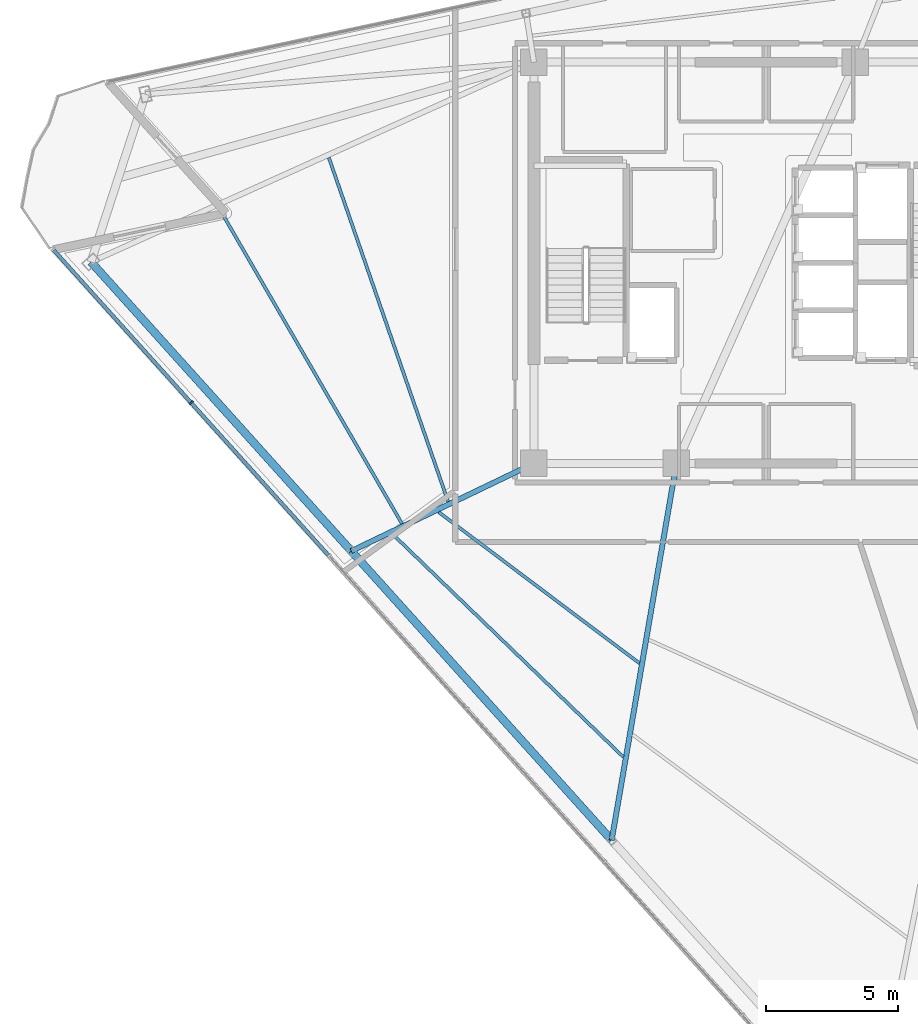
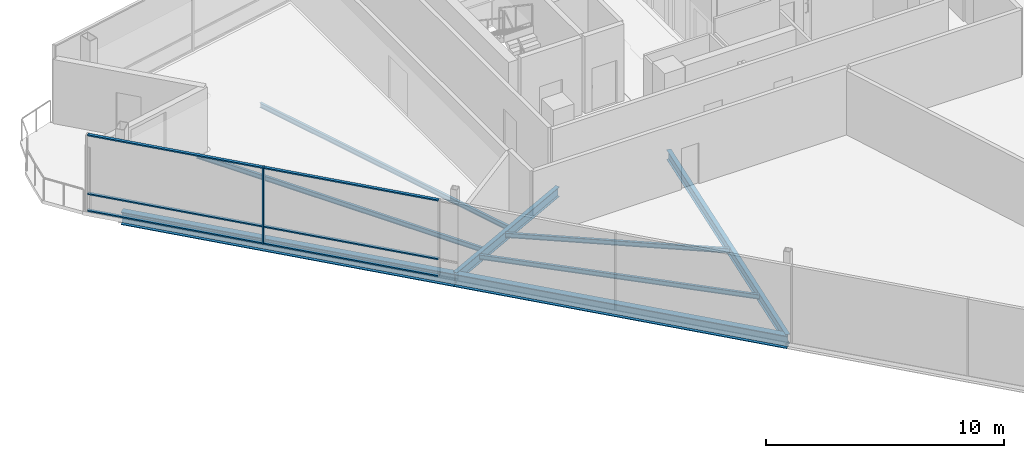
# One storey, part 4 of 16: 8 beams, 7 members, 1 element without a shape of its own.
"""IFC4 building model written with IfcOpenShell, lengths in metres."""

from ifc_helpers import new_model, si_unit, direction, frame, origin, origin_2d, place, context, subcontext, project, spatial, rectangle, i_section, extrude, material, layer, layer_set, material_profile, profile_set, type_object, element, aggregate, save


model = new_model("IFC4")

# Units and contexts
model_context = context("Model", 3, precision=1e-05, world=origin(), true_north=direction((0.0, 1.0)))
body_context = subcontext(model_context, "Body", "Model", "MODEL_VIEW")
ifc_project = project(units=[si_unit("LENGTHUNIT", "METRE"), si_unit("AREAUNIT", "SQUARE_METRE"), si_unit("VOLUMEUNIT", "CUBIC_METRE"), si_unit("PLANEANGLEUNIT", "RADIAN"), si_unit("MASSUNIT", "GRAM", prefix="KILO")], contexts=[model_context])

# Site, building, storey
site_placement = place(None, origin())
site = spatial("IfcSite", under=ifc_project, at=site_placement, CompositionType="ELEMENT")
building_placement = place(site_placement, origin())
building = spatial("IfcBuilding", under=site, at=building_placement, Name="Tharavind Bronze Gate", CompositionType="ELEMENT")
storey_placement = place(building_placement, frame((0.0, 0.0, 302.14990234375)))
storey = spatial("IfcBuildingStorey", under=building, at=storey_placement, Name="L78", CompositionType="ELEMENT", Elevation=302.14990234375)

# Curtain wall, members
ifc_material_1 = material(Name="Anodised Bronze Aluminium", Category="aluminium")
ifc_layer = layer(ifc_material_1, 0.219970703125)
ifc_layer_set = layer_set([ifc_layer], Name="Anodised Bronze Aluminium")
curtain_wall_type = type_object("IfcCurtainWallType", Name="UNITISED CURTAIN WALL CROWN", PredefinedType="USERDEFINED", material=ifc_layer_set)
curtain_wall_placement = place(storey_placement, origin())
curtain_wall = element("IfcCurtainWall", 1, at=curtain_wall_placement, inside=storey, type_object=curtain_wall_type, Name="L78 unitised curtain wall crown CW-L78-S1", ObjectType="UNITISED CURTAIN WALL", PredefinedType="USERDEFINED")
member_type_1 = type_object("IfcMemberType", Name="CURTAIN WALL BRONZE MULLION 65X180", PredefinedType="MULLION", material=ifc_material_1)
member_1_placement = place(storey_placement, frame((-21.88427734375, -5.30322265625, 0.0), z_axis=(0.0, 0.0, 1.0), x_axis=(0.669130606359, -0.743144825477, 0.0)))
member_1 = element("IfcMember", 2, at=member_1_placement, type_object=member_type_1, Name="CW-L78-S1 mullion 2", PredefinedType="MULLION", context=body_context, shape_type="SweptSolid", body=[
    extrude(rectangle(XDim=0.06494140625, YDim=0.179931640625, at=origin_2d()), origin(), (0.0, 0.0, 1.0), 3.949951171875),
])
member_type_2 = type_object("IfcMemberType", Name="CURTAIN WALL BRONZE TRANSOM 65X140", PredefinedType="USERDEFINED", material=ifc_material_1)
member_2_placement = place(storey_placement, frame((-24.494873046875, -2.404052734375, 0.000244140625), z_axis=(0.0, 0.0, 1.0), x_axis=(0.669130606359, -0.743144825477, 0.0)))
member_2 = element("IfcMember", 3, at=member_2_placement, type_object=member_type_2, Name="CW-L78-S1 transom TB1", ObjectType="TRANSOM", PredefinedType="USERDEFINED", context=body_context, shape_type="SweptSolid", body=[
    extrude(rectangle(XDim=7.749755859375, YDim=0.139892578125, at=origin_2d()), origin(), (0.0, 0.0, 1.0), 0.06494140625),
])
member_3_placement = place(storey_placement, frame((-24.494873046875, -2.404052734375, 0.86767578125), z_axis=(0.0, 0.0, 1.0), x_axis=(0.669130606359, -0.743144825477, 0.0)))
member_3 = element("IfcMember", 4, at=member_3_placement, type_object=member_type_2, Name="CW-L78-S1 transom TS1", ObjectType="TRANSOM", PredefinedType="USERDEFINED", context=body_context, shape_type="SweptSolid", body=[
    extrude(rectangle(XDim=7.749755859375, YDim=0.139892578125, at=origin_2d()), origin(), (0.0, 0.0, 1.0), 0.06494140625),
])
member_4_placement = place(storey_placement, frame((-24.494873046875, -2.404052734375, 3.885009765625), z_axis=(0.0, 0.0, 1.0), x_axis=(0.669130606359, -0.743144825477, 0.0)))
member_4 = element("IfcMember", 5, at=member_4_placement, type_object=member_type_2, Name="CW-L78-S1 transom TT1", ObjectType="TRANSOM", PredefinedType="USERDEFINED", context=body_context, shape_type="SweptSolid", body=[
    extrude(rectangle(XDim=7.749755859375, YDim=0.139892578125, at=origin_2d()), origin(), (0.0, 0.0, 1.0), 0.06494140625),
])
member_5_placement = place(storey_placement, frame((-19.273681640625, -8.20263671875, 0.000244140625), z_axis=(0.0, 0.0, 1.0), x_axis=(0.669130606359, -0.743144825477, 0.0)))
member_5 = element("IfcMember", 6, at=member_5_placement, type_object=member_type_2, Name="CW-L78-S1 transom TB2", ObjectType="TRANSOM", PredefinedType="USERDEFINED", context=body_context, shape_type="SweptSolid", body=[
    extrude(rectangle(XDim=7.749755859375, YDim=0.139892578125, at=origin_2d()), origin(), (0.0, 0.0, 1.0), 0.06494140625),
])
member_6_placement = place(storey_placement, frame((-19.273681640625, -8.20263671875, 0.86767578125), z_axis=(0.0, 0.0, 1.0), x_axis=(0.669130606359, -0.743144825477, 0.0)))
member_6 = element("IfcMember", 7, at=member_6_placement, type_object=member_type_2, Name="CW-L78-S1 transom TS2", ObjectType="TRANSOM", PredefinedType="USERDEFINED", context=body_context, shape_type="SweptSolid", body=[
    extrude(rectangle(XDim=7.749755859375, YDim=0.139892578125, at=origin_2d()), origin(), (0.0, 0.0, 1.0), 0.06494140625),
])
member_7_placement = place(storey_placement, frame((-19.273681640625, -8.20263671875, 3.885009765625), z_axis=(0.0, 0.0, 1.0), x_axis=(0.669130606359, -0.743144825477, 0.0)))
member_7 = element("IfcMember", 8, at=member_7_placement, type_object=member_type_2, Name="CW-L78-S1 transom TT2", ObjectType="TRANSOM", PredefinedType="USERDEFINED", context=body_context, shape_type="SweptSolid", body=[
    extrude(rectangle(XDim=7.749755859375, YDim=0.139892578125, at=origin_2d()), origin(), (0.0, 0.0, 1.0), 0.06494140625),
])
aggregate(curtain_wall, [member_1, member_2, member_3, member_4, member_5, member_6, member_7])

# Beams
ifc_material_2 = material(Name="Steel S355", Category="steel")
ifc_material_profile_1 = material_profile(ifc_material_2, i_section(OverallWidth=0.300048828125, OverallDepth=0.64990234375, WebThickness=0.01611328125, FlangeThickness=0.031005859375, at=origin_2d()), Name="HE650B")
ifc_profile_set_1 = profile_set([ifc_material_profile_1], Name="Steel S355")
beam_type_1 = type_object("IfcBeamType", Name="PRIMARY GIRDER HE650B", PredefinedType="USERDEFINED", material=ifc_profile_set_1)
beam_1_placement = place(storey_placement, frame((-25.6787109375, 0.03173828125, -0.52490234375), z_axis=(0.669125777788, -0.743149173113, 0.0), x_axis=(0.743149173113, 0.669125777788, 0.0)))
element("IfcBeam", 9, at=beam_1_placement, inside=storey, type_object=beam_type_1, Name="L78 primary girder he650b BM-L78-PRG01", ObjectType="GIRDER", PredefinedType="USERDEFINED", context=body_context, shape_type="SweptSolid", body=[
    extrude(i_section(OverallWidth=0.300048828125, OverallDepth=0.64990234375, WebThickness=0.01611328125, FlangeThickness=0.031005859375, at=origin_2d()), origin(), (0.0, 0.0, 1.0), 14.739501953125),
])
beam_2_placement = place(storey_placement, frame((-15.816162109375, -10.921875, -0.52490234375), z_axis=(0.669134014343, -0.7431417569, 0.0), x_axis=(0.7431417569, 0.669134014343, 0.0)))
element("IfcBeam", 10, at=beam_2_placement, inside=storey, type_object=beam_type_1, Name="L78 primary girder he650b BM-L78-PRG02", ObjectType="GIRDER", PredefinedType="USERDEFINED", context=body_context, shape_type="SweptSolid", body=[
    extrude(i_section(OverallWidth=0.300048828125, OverallDepth=0.64990234375, WebThickness=0.01611328125, FlangeThickness=0.031005859375, at=origin_2d()), origin(), (0.0, 0.0, 1.0), 14.7392578125),
])
ifc_material_profile_2 = material_profile(ifc_material_2, i_section(OverallWidth=0.199951171875, OverallDepth=0.5, WebThickness=0.01025390625, FlangeThickness=0.01611328125, at=origin_2d()), Name="IPE500")
ifc_profile_set_2 = profile_set([ifc_material_profile_2], Name="Steel S355")
beam_type_2 = type_object("IfcBeamType", Name="PRIMARY GIRDER IPE500", PredefinedType="USERDEFINED", material=ifc_profile_set_2)
beam_3_placement = place(storey_placement, frame((-15.816162109375, -10.921875, -0.449951171875), z_axis=(0.90142273265, 0.432940015547, 0.0), x_axis=(-0.432940015547, 0.90142273265, 0.0)))
element("IfcBeam", 11, at=beam_3_placement, inside=storey, type_object=beam_type_2, Name="L78 primary girder ipe500 BM-L78-RAD02", ObjectType="GIRDER", PredefinedType="USERDEFINED", context=body_context, shape_type="SweptSolid", body=[
    extrude(i_section(OverallWidth=0.199951171875, OverallDepth=0.5, WebThickness=0.01025390625, FlangeThickness=0.01611328125, at=origin_2d()), origin(), (0.0, 0.0, 1.0), 7.672607421875),
])
beam_4_placement = place(storey_placement, frame((-5.95361328125, -21.875244140625, -0.449951171875), z_axis=(0.169396075944, 0.985548055376, 0.0), x_axis=(-0.985548055376, 0.169396075944, 0.0)))
element("IfcBeam", 12, at=beam_4_placement, inside=storey, type_object=beam_type_2, Name="L78 primary girder ipe500 BM-L78-RAD03", ObjectType="GIRDER", PredefinedType="USERDEFINED", context=body_context, shape_type="SweptSolid", body=[
    extrude(i_section(OverallWidth=0.199951171875, OverallDepth=0.5, WebThickness=0.01025390625, FlangeThickness=0.01611328125, at=origin_2d()), origin(), (0.0, 0.0, 1.0), 14.484375),
])
ifc_material_profile_3 = material_profile(ifc_material_2, i_section(OverallWidth=0.1201171875, OverallDepth=0.239990234375, WebThickness=0.006103515625, FlangeThickness=0.009765625, at=origin_2d()), Name="IPE240")
ifc_profile_set_3 = profile_set([ifc_material_profile_3], Name="Steel S355")
beam_type_3 = type_object("IfcBeamType", Name="SECONDARY FLOOR JOIST IPE240", PredefinedType="JOIST", material=ifc_profile_set_3)
beam_5_placement = place(storey_placement, frame((-16.66796875, 3.982177734375, -0.31982421875), z_axis=(0.327619503862, -0.944809748409, 0.0), x_axis=(0.944809748409, 0.327619503862, 0.0)))
element("IfcBeam", 13, at=beam_5_placement, inside=storey, type_object=beam_type_3, Name="L78 secondary floor joist ipe240 BM-L78-JSTA01", PredefinedType="JOIST", context=body_context, shape_type="SweptSolid", body=[
    extrude(i_section(OverallWidth=0.1201171875, OverallDepth=0.239990234375, WebThickness=0.006103515625, FlangeThickness=0.009765625, at=origin_2d()), origin(), (0.0, 0.0, 1.0), 13.7890625),
])
beam_6_placement = place(storey_placement, frame((-20.84423828125, 2.09814453125, -0.31982421875), z_axis=(0.501531582807, -0.865139336435, 0.0), x_axis=(0.865139336435, 0.501531582807, 0.0)))
element("IfcBeam", 14, at=beam_6_placement, inside=storey, type_object=beam_type_3, Name="L78 secondary floor joist ipe240 BM-L78-JSTB01", PredefinedType="JOIST", context=body_context, shape_type="SweptSolid", body=[
    extrude(i_section(OverallWidth=0.1201171875, OverallDepth=0.239990234375, WebThickness=0.006103515625, FlangeThickness=0.009765625, at=origin_2d()), origin(), (0.0, 0.0, 1.0), 13.85107421875),
])
beam_7_placement = place(storey_placement, frame((-12.507080078125, -9.447265625, -0.31982421875), z_axis=(0.799041209175, -0.601276264325, 0.0), x_axis=(0.601276264325, 0.799041209175, 0.0)))
element("IfcBeam", 15, at=beam_7_placement, inside=storey, type_object=beam_type_3, Name="L78 secondary floor joist ipe240 BM-L78-JSTA02", PredefinedType="JOIST", context=body_context, shape_type="SweptSolid", body=[
    extrude(i_section(OverallWidth=0.1201171875, OverallDepth=0.239990234375, WebThickness=0.006103515625, FlangeThickness=0.009765625, at=origin_2d()), origin(), (0.0, 0.0, 1.0), 9.512939453125),
])
beam_8_placement = place(storey_placement, frame((-14.24951171875, -10.284423828125, -0.31982421875), z_axis=(0.719295778134, -0.694703953896, 0.0), x_axis=(0.694703953896, 0.719295778134, 0.0)))
element("IfcBeam", 16, at=beam_8_placement, inside=storey, type_object=beam_type_3, Name="L78 secondary floor joist ipe240 BM-L78-JSTB02", PredefinedType="JOIST", context=body_context, shape_type="SweptSolid", body=[
    extrude(i_section(OverallWidth=0.1201171875, OverallDepth=0.239990234375, WebThickness=0.006103515625, FlangeThickness=0.009765625, at=origin_2d()), origin(), (0.0, 0.0, 1.0), 12.1416015625),
])

save(model, "model.ifc")
